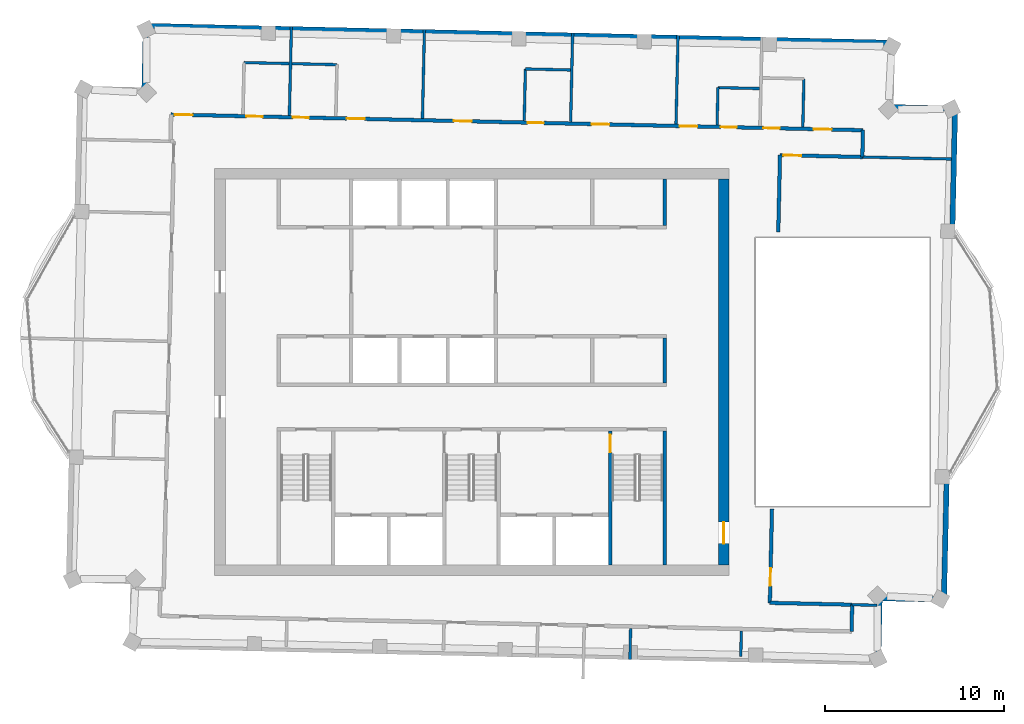
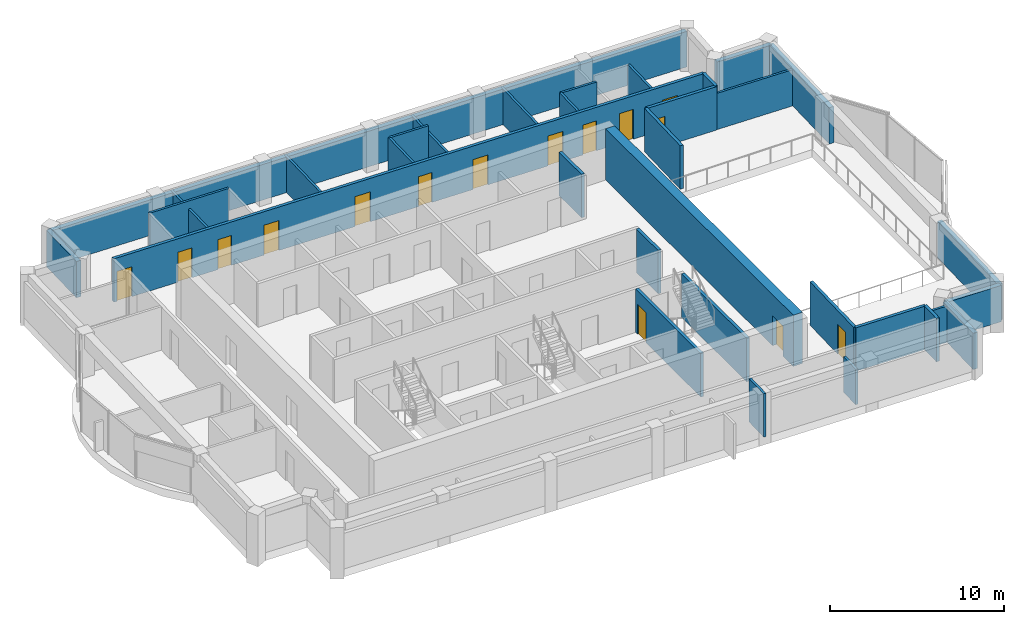
# One storey, part 9 of 12: 33 walls, 15 doors, 15 openings.
"""IFC4 building model written with IfcOpenShell, lengths in metres."""

from ifc_helpers import new_model, si_unit, direction, frame, frame_2d, origin, place, context, subcontext, project, spatial, rectangle, extrude, material, layer, layer_set, type_object, element, fill, save


model = new_model("IFC4")

# Units and contexts
model_context = context("Model", 3, precision=1e-05, world=origin(), true_north=direction((0.0, 1.0)))
body_context = subcontext(model_context, "Body", "Model", "MODEL_VIEW")
ifc_project = project(units=[si_unit("LENGTHUNIT", "METRE"), si_unit("AREAUNIT", "SQUARE_METRE"), si_unit("VOLUMEUNIT", "CUBIC_METRE"), si_unit("PLANEANGLEUNIT", "RADIAN"), si_unit("MASSUNIT", "GRAM", prefix="KILO")], contexts=[model_context])

# Site, building, storey
site_placement = place(None, origin())
site = spatial("IfcSite", under=ifc_project, at=site_placement, CompositionType="ELEMENT")
building_placement = place(site_placement, origin())
building = spatial("IfcBuilding", under=site, at=building_placement, Name="Mangrove Gate Tower", CompositionType="ELEMENT")
storey_placement = place(building_placement, frame((0.0, 0.0, 350.699951171875)))
storey = spatial("IfcBuildingStorey", under=building, at=storey_placement, Name="L89", CompositionType="ELEMENT", Elevation=350.699951171875)

# Walls
ifc_material_1 = material(Name="Concrete C32/40", Category="concrete")
ifc_layer_1 = layer(ifc_material_1, 0.199951171875)
ifc_layer_set_1 = layer_set([ifc_layer_1], Name="Core room wall 200 C32/40")
wall_type_1 = type_object("IfcWallType", Name="Core room wall 200 C32/40", PredefinedType="STANDARD", material=ifc_layer_set_1)
wall_1_placement = place(storey_placement, frame((10.800048828125, -0.60009765625, 0.0), z_axis=(0.0, 0.0, 1.0), x_axis=(0.0, 1.0, 0.0)))
element("IfcWall", 1, at=wall_1_placement, inside=storey, type_object=wall_type_1, Name="WALL-L89-CORE-25", PredefinedType="STANDARD", context=body_context, shape_type="SweptSolid", body=[
    extrude(rectangle(XDim=2.5, YDim=0.199951171875, at=frame_2d((1.25, 0.0))), origin(), (0.0, 0.0, 1.0), 3.050048828125),
])
wall_2_placement = place(storey_placement, frame((10.800048828125, 8.199951171875, 0.0), z_axis=(0.0, 0.0, 1.0), x_axis=(0.0, 1.0, 0.0)))
element("IfcWall", 2, at=wall_2_placement, inside=storey, type_object=wall_type_1, Name="WALL-L89-CORE-32", PredefinedType="STANDARD", context=body_context, shape_type="SweptSolid", body=[
    extrude(rectangle(XDim=2.60009765625, YDim=0.199951171875, at=frame_2d((1.300048828125, 0.0))), origin(), (0.0, 0.0, 1.0), 3.050048828125),
])

# Wall, opening, door
ifc_material_2 = material(Name="Concrete C50/60", Category="concrete")
ifc_layer_2 = layer(ifc_material_2, 0.199951171875)
ifc_layer_set_2 = layer_set([ifc_layer_2], Name="Core stair wall 200 C50/60")
wall_type_2 = type_object("IfcWallType", Name="Core stair wall 200 C50/60", PredefinedType="SHEAR", material=ifc_layer_set_2)
wall_3_placement = place(storey_placement, frame((7.75, -10.800048828125, 0.0), z_axis=(0.0, 0.0, 1.0), x_axis=(0.0, 1.0, 0.0)))
wall_3 = element("IfcWall", 3, at=wall_3_placement, inside=storey, type_object=wall_type_2, Name="WALL-L89-CORE-13", PredefinedType="SHEAR", context=body_context, shape_type="SweptSolid", body=[
    extrude(rectangle(XDim=7.5, YDim=0.199951171875, at=frame_2d((3.75, 0.0))), origin(), (0.0, 0.0, 1.0), 3.050048828125),
])
opening_1_placement = place(wall_3_placement, frame((6.300048828125, 0.0, 0.0)))
opening_1 = element("IfcOpeningElement", 4, at=opening_1_placement, cuts=wall_3, Name="Opening STD10", PredefinedType="OPENING", context=body_context, shape_type="SweptSolid", body=[
    extrude(rectangle(XDim=1.0, YDim=2.10009765625, at=frame_2d((0.5, 1.050048828125))), frame((0.0, 0.10986328125, 0.0), z_axis=(0.0, -1.0, 0.0), x_axis=(1.0, 0.0, 0.0)), (0.0, 0.0, 1.0), 0.219970703125),
])
ifc_material_3 = material(Name="Fire-rated steel door set", Category="steel")
door_type_1 = type_object("IfcDoorType", Name="Stair door FD60 1000x2100", OperationType="SINGLE_SWING_RIGHT", PredefinedType="DOOR", material=ifc_material_3)
door_1_placement = place(opening_1_placement, origin())
door_1 = element("IfcDoor", 5, at=door_1_placement, inside=storey, type_object=door_type_1, Name="Stair door Stair 3 from fire-fighting lobby", OperationType="SINGLE_SWING_RIGHT", OverallHeight=2.10009765625, OverallWidth=1.0, PredefinedType="DOOR", context=body_context, shape_type="SweptSolid", body=[
    extrude(rectangle(XDim=1.0, YDim=2.10009765625, at=frame_2d((0.5, 1.050048828125))), frame((0.0, 0.02490234375, 0.0), z_axis=(0.0, -1.0, 0.0), x_axis=(1.0, 0.0, 0.0)), (0.0, 0.0, 1.0), 0.050048828125),
])
fill(opening_1, door_1)

# Wall
wall_4_placement = place(storey_placement, frame((10.800048828125, -10.800048828125, 0.0), z_axis=(0.0, 0.0, 1.0), x_axis=(0.0, 1.0, 0.0)))
element("IfcWall", 6, at=wall_4_placement, inside=storey, type_object=wall_type_2, Name="WALL-L89-CORE-14", PredefinedType="SHEAR", context=body_context, shape_type="SweptSolid", body=[
    extrude(rectangle(XDim=7.5, YDim=0.199951171875, at=frame_2d((3.75, 0.0))), origin(), (0.0, 0.0, 1.0), 3.050048828125),
])

# Wall, opening, door
ifc_material_4 = material(Name="Concrete C50/60", Category="concrete")
ifc_layer_3 = layer(ifc_material_4, 0.60009765625)
ifc_layer_set_3 = layer_set([ifc_layer_3], Name="Core wall 600 C50/60")
wall_type_3 = type_object("IfcWallType", Name="Core wall 600 C50/60", PredefinedType="SHEAR", material=ifc_layer_set_3)
wall_5_placement = place(storey_placement, frame((14.10009765625, -10.800048828125, 0.0), z_axis=(0.0, 0.0, 1.0), x_axis=(0.0, 1.0, 0.0)))
wall_5 = element("IfcWall", 7, at=wall_5_placement, inside=storey, type_object=wall_type_3, Name="WALL-L89-CORE-4", PredefinedType="SHEAR", context=body_context, shape_type="SweptSolid", body=[
    extrude(rectangle(XDim=21.60009765625, YDim=0.60009765625, at=frame_2d((10.800048828125, 0.0))), origin(), (0.0, 0.0, 1.0), 3.60009765625),
])
opening_2_placement = place(wall_5_placement, frame((1.199951171875, 0.0, 0.0)))
opening_2 = element("IfcOpeningElement", 8, at=opening_2_placement, cuts=wall_5, Name="Opening CD", PredefinedType="OPENING", context=body_context, shape_type="SweptSolid", body=[
    extrude(rectangle(XDim=1.199951171875, YDim=2.10009765625, at=frame_2d((0.60009765625, 1.050048828125))), frame((0.0, 0.31005859375, 0.0), z_axis=(0.0, -1.0, 0.0), x_axis=(1.0, 0.0, 0.0)), (0.0, 0.0, 1.0), 0.6201171875),
])
ifc_material_5 = material(Name="Fire-rated steel door set", Category="steel")
door_type_2 = type_object("IfcDoorType", Name="Core ring door FD60 1200x2100", OperationType="DOUBLE_DOOR_SINGLE_SWING", PredefinedType="DOOR", material=ifc_material_5)
door_2_placement = place(opening_2_placement, origin())
door_2 = element("IfcDoor", 9, at=door_2_placement, inside=storey, type_object=door_type_2, Name="Core ring door E1", OperationType="DOUBLE_DOOR_SINGLE_SWING", OverallHeight=2.10009765625, OverallWidth=1.199951171875, PredefinedType="DOOR", context=body_context, shape_type="SweptSolid", body=[
    extrude(rectangle(XDim=1.199951171875, YDim=2.10009765625, at=frame_2d((0.60009765625, 1.050048828125))), frame((0.0, 0.02490234375, 0.0), z_axis=(0.0, -1.0, 0.0), x_axis=(1.0, 0.0, 0.0)), (0.0, 0.0, 1.0), 0.050048828125),
])
fill(opening_2, door_2)

# Walls
ifc_material_6 = material(Name="Gypsum board on steel stud, EI 60", Category="steel")
ifc_layer_4 = layer(ifc_material_6, 0.199951171875)
ifc_layer_set_4 = layer_set([ifc_layer_4], Name="Corridor wall EI 60")
wall_type_4 = type_object("IfcWallType", Name="Corridor wall EI 60", PredefinedType="PARTITIONING", material=ifc_layer_set_4)
wall_6_placement = place(storey_placement, frame((21.259033203125, -14.52294921875, 0.0), z_axis=(0.0, 0.0, 1.0), x_axis=(0.022617910375, 0.999744182344, 0.0)))
element("IfcWall", 10, at=wall_6_placement, inside=storey, type_object=wall_type_4, Name="WALL-L89-009", PredefinedType="PARTITIONING", context=body_context, shape_type="SweptSolid", body=[
    extrude(rectangle(XDim=1.50048828125, YDim=0.199951171875, at=frame_2d((0.750244140625, 0.0))), origin(), (0.0, 0.0, 1.0), 3.050048828125),
])
wall_7_placement = place(storey_placement, frame((16.678955078125, -12.91796875, 0.0), z_axis=(0.0, 0.0, 1.0), x_axis=(0.99974093296, -0.022761084406, 0.0)))
element("IfcWall", 11, at=wall_7_placement, inside=storey, type_object=wall_type_4, Name="WALL-L89-013", PredefinedType="PARTITIONING", context=body_context, shape_type="SweptSolid", body=[
    extrude(rectangle(XDim=4.6123046875, YDim=0.199951171875, at=frame_2d((2.30615234375, 0.0))), origin(), (0.0, 0.0, 1.0), 3.050048828125),
])

# Wall, opening, door
wall_8_placement = place(storey_placement, frame((16.68408203125, -12.9189453125, 0.0), z_axis=(0.0, 0.0, 1.0), x_axis=(0.022667483124, 0.999743059595, 0.0)))
wall_8 = element("IfcWall", 12, at=wall_8_placement, inside=storey, type_object=wall_type_4, Name="WALL-L89-014", PredefinedType="PARTITIONING", context=body_context, shape_type="SweptSolid", body=[
    extrude(rectangle(XDim=5.245361328125, YDim=0.199951171875, at=frame_2d((2.62255859375, 0.0))), origin(), (0.0, 0.0, 1.0), 3.050048828125),
])
opening_3_placement = place(wall_8_placement, frame((0.946044921875, 0.0, 0.0)))
opening_3 = element("IfcOpeningElement", 13, at=opening_3_placement, cuts=wall_8, Name="Opening AD", PredefinedType="OPENING", context=body_context, shape_type="SweptSolid", body=[
    extrude(rectangle(XDim=1.0, YDim=2.10009765625, at=frame_2d((0.5, 1.050048828125))), frame((0.0, 0.10986328125, 0.0), z_axis=(0.0, -1.0, 0.0), x_axis=(1.0, 0.0, 0.0)), (0.0, 0.0, 1.0), 0.219970703125),
])
ifc_material_7 = material(Name="Timber door leaf", Category="wood")
door_type_3 = type_object("IfcDoorType", Name="Amenity door 1000", OperationType="SINGLE_SWING_LEFT", PredefinedType="DOOR", material=ifc_material_7)
door_3_placement = place(opening_3_placement, origin())
door_3 = element("IfcDoor", 14, at=door_3_placement, inside=storey, type_object=door_type_3, Name="DOOR-L89-GAM-c2b", OperationType="SINGLE_SWING_RIGHT", OverallHeight=2.10009765625, OverallWidth=1.0, PredefinedType="DOOR", context=body_context, shape_type="SweptSolid", body=[
    extrude(rectangle(XDim=1.0, YDim=2.10009765625, at=frame_2d((0.5, 1.050048828125))), frame((0.0, 0.02490234375, 0.0), z_axis=(0.0, -1.0, 0.0), x_axis=(1.0, 0.0, 0.0)), (0.0, 0.0, 1.0), 0.050048828125),
])
fill(opening_3, door_3)

# Wall
wall_9_placement = place(storey_placement, frame((17.155029296875, 7.845947265625, 0.0), z_axis=(0.0, 0.0, 1.0), x_axis=(0.022745886685, 0.999741278851, 0.0)))
element("IfcWall", 15, at=wall_9_placement, inside=storey, type_object=wall_type_4, Name="WALL-L89-020", PredefinedType="PARTITIONING", context=body_context, shape_type="SweptSolid", body=[
    extrude(rectangle(XDim=4.30419921875, YDim=0.199951171875, at=frame_2d((2.152099609375, 0.0))), origin(), (0.0, 0.0, 1.0), 3.050048828125),
])

# Wall, opening, door
wall_10_placement = place(storey_placement, frame((17.248046875, 12.14501953125, 0.0), z_axis=(0.0, 0.0, 1.0), x_axis=(0.999740905536, -0.022762288964, 0.0)))
wall_10 = element("IfcWall", 16, at=wall_10_placement, inside=storey, type_object=wall_type_4, Name="WALL-L89-024", PredefinedType="PARTITIONING", context=body_context, shape_type="SweptSolid", body=[
    extrude(rectangle(XDim=4.612060546875, YDim=0.199951171875, at=frame_2d((2.30615234375, 0.0))), origin(), (0.0, 0.0, 1.0), 3.050048828125),
])
opening_4_placement = place(wall_10_placement, frame((0.199951171875, 0.0, 0.0)))
opening_4 = element("IfcOpeningElement", 17, at=opening_4_placement, cuts=wall_10, Name="Opening AD", PredefinedType="OPENING", context=body_context, shape_type="SweptSolid", body=[
    extrude(rectangle(XDim=1.0, YDim=2.10009765625, at=frame_2d((0.5, 1.050048828125))), frame((0.0, 0.10986328125, 0.0), z_axis=(0.0, -1.0, 0.0), x_axis=(1.0, 0.0, 0.0)), (0.0, 0.0, 1.0), 0.219970703125),
])
door_4_placement = place(opening_4_placement, origin())
door_4 = element("IfcDoor", 18, at=door_4_placement, inside=storey, type_object=door_type_3, Name="DOOR-L89-LNG-c2a", OperationType="SINGLE_SWING_LEFT", OverallHeight=2.10009765625, OverallWidth=1.0, PredefinedType="DOOR", context=body_context, shape_type="SweptSolid", body=[
    extrude(rectangle(XDim=1.0, YDim=2.10009765625, at=frame_2d((0.5, 1.050048828125))), frame((0.0, 0.02490234375, 0.0), z_axis=(0.0, -1.0, 0.0), x_axis=(1.0, 0.0, 0.0)), (0.0, 0.0, 1.0), 0.050048828125),
])
fill(opening_4, door_4)

# Wall
wall_11_placement = place(storey_placement, frame((21.862060546875, 12.0439453125, 0.0), z_axis=(0.0, 0.0, 1.0), x_axis=(0.022617910375, 0.999744182344, 0.0)))
element("IfcWall", 19, at=wall_11_placement, inside=storey, type_object=wall_type_4, Name="WALL-L89-027", PredefinedType="PARTITIONING", context=body_context, shape_type="SweptSolid", body=[
    extrude(rectangle(XDim=1.50048828125, YDim=0.199951171875, at=frame_2d((0.750244140625, 0.0))), origin(), (0.0, 0.0, 1.0), 3.050048828125),
])

# Wall, openings, doors
wall_12_placement = place(storey_placement, frame((-16.8310546875, 14.4189453125, 0.0), z_axis=(0.0, 0.0, 1.0), x_axis=(0.999742531431, -0.022690765715, 0.0)))
wall_12 = element("IfcWall", 20, at=wall_12_placement, inside=storey, type_object=wall_type_4, Name="WALL-L89-028", PredefinedType="PARTITIONING", context=body_context, shape_type="SweptSolid", body=[
    extrude(rectangle(XDim=38.734130859375, YDim=0.199951171875, at=frame_2d((19.3671875, 0.0))), origin(), (0.0, 0.0, 1.0), 3.050048828125),
])
opening_5_placement = place(wall_12_placement, frame((35.97705078125, 0.0, 0.0)))
opening_5 = element("IfcOpeningElement", 21, at=opening_5_placement, cuts=wall_12, Name="Opening AD", PredefinedType="OPENING", context=body_context, shape_type="SweptSolid", body=[
    extrude(rectangle(XDim=1.0, YDim=2.10009765625, at=frame_2d((0.5, 1.050048828125))), frame((0.0, 0.10986328125, 0.0), z_axis=(0.0, -1.0, 0.0), x_axis=(1.0, 0.0, 0.0)), (0.0, 0.0, 1.0), 0.219970703125),
])
opening_6_placement = place(wall_12_placement, frame((33.1669921875, 0.0, 0.0)))
opening_6 = element("IfcOpeningElement", 22, at=opening_6_placement, cuts=wall_12, Name="Opening SD", PredefinedType="OPENING", context=body_context, shape_type="SweptSolid", body=[
    extrude(rectangle(XDim=0.89990234375, YDim=2.10009765625, at=frame_2d((0.449951171875, 1.050048828125))), frame((0.0, 0.10986328125, 0.0), z_axis=(0.0, -1.0, 0.0), x_axis=(1.0, 0.0, 0.0)), (0.0, 0.0, 1.0), 0.219970703125),
])
opening_7_placement = place(wall_12_placement, frame((28.467041015625, 0.0, 0.0)))
opening_7 = element("IfcOpeningElement", 23, at=opening_7_placement, cuts=wall_12, Name="Opening AD", PredefinedType="OPENING", context=body_context, shape_type="SweptSolid", body=[
    extrude(rectangle(XDim=1.0, YDim=2.10009765625, at=frame_2d((0.5, 1.050048828125))), frame((0.0, 0.10986328125, 0.0), z_axis=(0.0, -1.0, 0.0), x_axis=(1.0, 0.0, 0.0)), (0.0, 0.0, 1.0), 0.219970703125),
])
opening_8_placement = place(wall_12_placement, frame((30.76708984375, 0.0, 0.0)))
opening_8 = element("IfcOpeningElement", 24, at=opening_8_placement, cuts=wall_12, Name="Opening SD", PredefinedType="OPENING", context=body_context, shape_type="SweptSolid", body=[
    extrude(rectangle(XDim=0.89990234375, YDim=2.10009765625, at=frame_2d((0.449951171875, 1.050048828125))), frame((0.0, 0.10986328125, 0.0), z_axis=(0.0, -1.0, 0.0), x_axis=(1.0, 0.0, 0.0)), (0.0, 0.0, 1.0), 0.219970703125),
])
opening_9_placement = place(wall_12_placement, frame((23.541015625, 0.0, 0.0)))
opening_9 = element("IfcOpeningElement", 25, at=opening_9_placement, cuts=wall_12, Name="Opening AD", PredefinedType="OPENING", context=body_context, shape_type="SweptSolid", body=[
    extrude(rectangle(XDim=1.0, YDim=2.10009765625, at=frame_2d((0.5, 1.050048828125))), frame((0.0, 0.10986328125, 0.0), z_axis=(0.0, -1.0, 0.0), x_axis=(1.0, 0.0, 0.0)), (0.0, 0.0, 1.0), 0.219970703125),
])
opening_10_placement = place(wall_12_placement, frame((15.827880859375, 0.0, 0.0)))
opening_10 = element("IfcOpeningElement", 26, at=opening_10_placement, cuts=wall_12, Name="Opening AD", PredefinedType="OPENING", context=body_context, shape_type="SweptSolid", body=[
    extrude(rectangle(XDim=1.0, YDim=2.10009765625, at=frame_2d((0.5, 1.050048828125))), frame((0.0, 0.10986328125, 0.0), z_axis=(0.0, -1.0, 0.0), x_axis=(1.0, 0.0, 0.0)), (0.0, 0.0, 1.0), 0.219970703125),
])
opening_11_placement = place(wall_12_placement, frame((19.967041015625, 0.0, 0.0)))
opening_11 = element("IfcOpeningElement", 27, at=opening_11_placement, cuts=wall_12, Name="Opening SD", PredefinedType="OPENING", context=body_context, shape_type="SweptSolid", body=[
    extrude(rectangle(XDim=0.89990234375, YDim=2.10009765625, at=frame_2d((0.449951171875, 1.050048828125))), frame((0.0, 0.10986328125, 0.0), z_axis=(0.0, -1.0, 0.0), x_axis=(1.0, 0.0, 0.0)), (0.0, 0.0, 1.0), 0.219970703125),
])
opening_12_placement = place(wall_12_placement, frame((9.830078125, 0.0, 0.0)))
opening_12 = element("IfcOpeningElement", 28, at=opening_12_placement, cuts=wall_12, Name="Opening AD", PredefinedType="OPENING", context=body_context, shape_type="SweptSolid", body=[
    extrude(rectangle(XDim=1.0, YDim=2.10009765625, at=frame_2d((0.5, 1.050048828125))), frame((0.0, 0.10986328125, 0.0), z_axis=(0.0, -1.0, 0.0), x_axis=(1.0, 0.0, 0.0)), (0.0, 0.0, 1.0), 0.219970703125),
])
opening_13_placement = place(wall_12_placement, frame((6.81689453125, 0.0, 0.0)))
opening_13 = element("IfcOpeningElement", 29, at=opening_13_placement, cuts=wall_12, Name="Opening SD", PredefinedType="OPENING", context=body_context, shape_type="SweptSolid", body=[
    extrude(rectangle(XDim=0.89990234375, YDim=2.10009765625, at=frame_2d((0.449951171875, 1.050048828125))), frame((0.0, 0.10986328125, 0.0), z_axis=(0.0, -1.0, 0.0), x_axis=(1.0, 0.0, 0.0)), (0.0, 0.0, 1.0), 0.219970703125),
])
opening_14_placement = place(wall_12_placement, frame((0.199951171875, 0.0, 0.0)))
opening_14 = element("IfcOpeningElement", 30, at=opening_14_placement, cuts=wall_12, Name="Opening AD", PredefinedType="OPENING", context=body_context, shape_type="SweptSolid", body=[
    extrude(rectangle(XDim=1.0, YDim=2.10009765625, at=frame_2d((0.5, 1.050048828125))), frame((0.0, 0.10986328125, 0.0), z_axis=(0.0, -1.0, 0.0), x_axis=(1.0, 0.0, 0.0)), (0.0, 0.0, 1.0), 0.219970703125),
])
opening_15_placement = place(wall_12_placement, frame((4.217041015625, 0.0, 0.0)))
opening_15 = element("IfcOpeningElement", 31, at=opening_15_placement, cuts=wall_12, Name="Opening SD", PredefinedType="OPENING", context=body_context, shape_type="SweptSolid", body=[
    extrude(rectangle(XDim=0.89990234375, YDim=2.10009765625, at=frame_2d((0.449951171875, 1.050048828125))), frame((0.0, 0.10986328125, 0.0), z_axis=(0.0, -1.0, 0.0), x_axis=(1.0, 0.0, 0.0)), (0.0, 0.0, 1.0), 0.219970703125),
])
door_5_placement = place(opening_5_placement, origin())
door_5 = element("IfcDoor", 32, at=door_5_placement, inside=storey, type_object=door_type_3, Name="DOOR-L89-GAM-c3a", OperationType="SINGLE_SWING_RIGHT", OverallHeight=2.10009765625, OverallWidth=1.0, PredefinedType="DOOR", context=body_context, shape_type="SweptSolid", body=[
    extrude(rectangle(XDim=1.0, YDim=2.10009765625, at=frame_2d((0.5, 1.050048828125))), frame((0.0, 0.02490234375, 0.0), z_axis=(0.0, -1.0, 0.0), x_axis=(1.0, 0.0, 0.0)), (0.0, 0.0, 1.0), 0.050048828125),
])
fill(opening_5, door_5)
door_6_placement = place(opening_7_placement, origin())
door_6 = element("IfcDoor", 33, at=door_6_placement, inside=storey, type_object=door_type_3, Name="DOOR-L89-STU-c3a", OperationType="SINGLE_SWING_LEFT", OverallHeight=2.10009765625, OverallWidth=1.0, PredefinedType="DOOR", context=body_context, shape_type="SweptSolid", body=[
    extrude(rectangle(XDim=1.0, YDim=2.10009765625, at=frame_2d((0.5, 1.050048828125))), frame((0.0, 0.02490234375, 0.0), z_axis=(0.0, -1.0, 0.0), x_axis=(1.0, 0.0, 0.0)), (0.0, 0.0, 1.0), 0.050048828125),
])
fill(opening_7, door_6)
door_7_placement = place(opening_9_placement, origin())
door_7 = element("IfcDoor", 34, at=door_7_placement, inside=storey, type_object=door_type_3, Name="DOOR-L89-KIT-c3a", OperationType="SINGLE_SWING_RIGHT", OverallHeight=2.10009765625, OverallWidth=1.0, PredefinedType="DOOR", context=body_context, shape_type="SweptSolid", body=[
    extrude(rectangle(XDim=1.0, YDim=2.10009765625, at=frame_2d((0.5, 1.050048828125))), frame((0.0, 0.02490234375, 0.0), z_axis=(0.0, -1.0, 0.0), x_axis=(1.0, 0.0, 0.0)), (0.0, 0.0, 1.0), 0.050048828125),
])
fill(opening_9, door_7)
door_8_placement = place(opening_10_placement, origin())
door_8 = element("IfcDoor", 35, at=door_8_placement, inside=storey, type_object=door_type_3, Name="DOOR-L89-LNG-c3a", OperationType="SINGLE_SWING_LEFT", OverallHeight=2.10009765625, OverallWidth=1.0, PredefinedType="DOOR", context=body_context, shape_type="SweptSolid", body=[
    extrude(rectangle(XDim=1.0, YDim=2.10009765625, at=frame_2d((0.5, 1.050048828125))), frame((0.0, 0.02490234375, 0.0), z_axis=(0.0, -1.0, 0.0), x_axis=(1.0, 0.0, 0.0)), (0.0, 0.0, 1.0), 0.050048828125),
])
fill(opening_10, door_8)
door_9_placement = place(opening_12_placement, origin())
door_9 = element("IfcDoor", 36, at=door_9_placement, inside=storey, type_object=door_type_3, Name="DOOR-L89-GAM-c4a", OperationType="SINGLE_SWING_RIGHT", OverallHeight=2.10009765625, OverallWidth=1.0, PredefinedType="DOOR", context=body_context, shape_type="SweptSolid", body=[
    extrude(rectangle(XDim=1.0, YDim=2.10009765625, at=frame_2d((0.5, 1.050048828125))), frame((0.0, 0.02490234375, 0.0), z_axis=(0.0, -1.0, 0.0), x_axis=(1.0, 0.0, 0.0)), (0.0, 0.0, 1.0), 0.050048828125),
])
fill(opening_12, door_9)
door_10_placement = place(opening_14_placement, origin())
door_10 = element("IfcDoor", 37, at=door_10_placement, inside=storey, type_object=door_type_3, Name="DOOR-L89-LNG-c4a", OperationType="SINGLE_SWING_LEFT", OverallHeight=2.10009765625, OverallWidth=1.0, PredefinedType="DOOR", context=body_context, shape_type="SweptSolid", body=[
    extrude(rectangle(XDim=1.0, YDim=2.10009765625, at=frame_2d((0.5, 1.050048828125))), frame((0.0, 0.02490234375, 0.0), z_axis=(0.0, -1.0, 0.0), x_axis=(1.0, 0.0, 0.0)), (0.0, 0.0, 1.0), 0.050048828125),
])
fill(opening_14, door_10)
ifc_material_8 = material(Name="Timber door leaf", Category="wood")
door_type_4 = type_object("IfcDoorType", Name="Service room door 900", OperationType="SINGLE_SWING_LEFT", PredefinedType="DOOR", material=ifc_material_8)
door_11_placement = place(opening_6_placement, origin())
door_11 = element("IfcDoor", 38, at=door_11_placement, inside=storey, type_object=door_type_4, Name="DOOR-L89-WC-c3a", OperationType="SINGLE_SWING_LEFT", OverallHeight=2.10009765625, OverallWidth=0.89990234375, PredefinedType="DOOR", context=body_context, shape_type="SweptSolid", body=[
    extrude(rectangle(XDim=0.89990234375, YDim=2.10009765625, at=frame_2d((0.449951171875, 1.050048828125))), frame((0.0, 0.02490234375, 0.0), z_axis=(0.0, -1.0, 0.0), x_axis=(1.0, 0.0, 0.0)), (0.0, 0.0, 1.0), 0.050048828125),
])
fill(opening_6, door_11)
door_12_placement = place(opening_8_placement, origin())
door_12 = element("IfcDoor", 39, at=door_12_placement, inside=storey, type_object=door_type_4, Name="DOOR-L89-LIN-c3a", OperationType="SINGLE_SWING_RIGHT", OverallHeight=2.10009765625, OverallWidth=0.89990234375, PredefinedType="DOOR", context=body_context, shape_type="SweptSolid", body=[
    extrude(rectangle(XDim=0.89990234375, YDim=2.10009765625, at=frame_2d((0.449951171875, 1.050048828125))), frame((0.0, 0.02490234375, 0.0), z_axis=(0.0, -1.0, 0.0), x_axis=(1.0, 0.0, 0.0)), (0.0, 0.0, 1.0), 0.050048828125),
])
fill(opening_8, door_12)
door_13_placement = place(opening_11_placement, origin())
door_13 = element("IfcDoor", 40, at=door_13_placement, inside=storey, type_object=door_type_4, Name="DOOR-L89-AWC-c3a", OperationType="SINGLE_SWING_LEFT", OverallHeight=2.10009765625, OverallWidth=0.89990234375, PredefinedType="DOOR", context=body_context, shape_type="SweptSolid", body=[
    extrude(rectangle(XDim=0.89990234375, YDim=2.10009765625, at=frame_2d((0.449951171875, 1.050048828125))), frame((0.0, 0.02490234375, 0.0), z_axis=(0.0, -1.0, 0.0), x_axis=(1.0, 0.0, 0.0)), (0.0, 0.0, 1.0), 0.050048828125),
])
fill(opening_11, door_13)
door_14_placement = place(opening_13_placement, origin())
door_14 = element("IfcDoor", 41, at=door_14_placement, inside=storey, type_object=door_type_4, Name="DOOR-L89-AWC-c4a", OperationType="SINGLE_SWING_RIGHT", OverallHeight=2.10009765625, OverallWidth=0.89990234375, PredefinedType="DOOR", context=body_context, shape_type="SweptSolid", body=[
    extrude(rectangle(XDim=0.89990234375, YDim=2.10009765625, at=frame_2d((0.449951171875, 1.050048828125))), frame((0.0, 0.02490234375, 0.0), z_axis=(0.0, -1.0, 0.0), x_axis=(1.0, 0.0, 0.0)), (0.0, 0.0, 1.0), 0.050048828125),
])
fill(opening_13, door_14)
door_15_placement = place(opening_15_placement, origin())
door_15 = element("IfcDoor", 42, at=door_15_placement, inside=storey, type_object=door_type_4, Name="DOOR-L89-AWC-c4b", OperationType="SINGLE_SWING_LEFT", OverallHeight=2.10009765625, OverallWidth=0.89990234375, PredefinedType="DOOR", context=body_context, shape_type="SweptSolid", body=[
    extrude(rectangle(XDim=0.89990234375, YDim=2.10009765625, at=frame_2d((0.449951171875, 1.050048828125))), frame((0.0, 0.02490234375, 0.0), z_axis=(0.0, -1.0, 0.0), x_axis=(1.0, 0.0, 0.0)), (0.0, 0.0, 1.0), 0.050048828125),
])
fill(opening_15, door_15)

# Walls
ifc_material_9 = material(Name="Limestone", Category="masonry")
ifc_layer_5 = layer(ifc_material_9, 0.0400390625, Name="Limestone cladding")
ifc_material_10 = material(Name="Ventilated air gap")
ifc_layer_6 = layer(ifc_material_10, 0.0400390625, Name="Ventilated cavity")
ifc_material_11 = material(Name="Mineral wool insulation")
ifc_layer_7 = layer(ifc_material_11, 0.06005859375, Name="Insulation")
ifc_material_12 = material(Name="Breather membrane")
ifc_layer_8 = layer(ifc_material_12, 0.001953125, Name="Breather membrane")
ifc_material_13 = material(Name="Concrete C20/25 blockwork", Category="masonry")
ifc_layer_9 = layer(ifc_material_13, 0.14990234375, Name="Blockwork backing wall")
ifc_material_14 = material(Name="Gypsum plaster")
ifc_layer_10 = layer(ifc_material_14, 0.008056640625, Name="Internal plaster")
ifc_layer_set_5 = layer_set([ifc_layer_5, ifc_layer_6, ifc_layer_7, ifc_layer_8, ifc_layer_9, ifc_layer_10], Name="External wall 300 limestone cladding")
wall_type_5 = type_object("IfcWallType", Name="External wall 300 limestone cladding", PredefinedType="SOLIDWALL", material=ifc_layer_set_5)
wall_13_placement = place(storey_placement, frame((26.430908203125, -12.739990234375, 0.0), z_axis=(0.0, 0.0, 1.0), x_axis=(0.022686338341, 0.999742631907, 0.0)))
element("IfcWall", 43, at=wall_13_placement, inside=storey, type_object=wall_type_5, Name="WALL-L89-E0s1", PredefinedType="SOLIDWALL", context=body_context, shape_type="SweptSolid", body=[
    extrude(rectangle(XDim=7.27490234375, YDim=0.300048828125, at=frame_2d((3.637451171875, 0.0))), origin(), (0.0, 0.0, 1.0), 2.550048828125),
])
wall_14_placement = place(storey_placement, frame((26.889892578125, 7.48095703125, 0.0), z_axis=(0.0, 0.0, 1.0), x_axis=(0.02268938335, 0.999742562805, 0.0)))
element("IfcWall", 44, at=wall_14_placement, inside=storey, type_object=wall_type_5, Name="WALL-L89-E2s1", PredefinedType="SOLIDWALL", context=body_context, shape_type="SweptSolid", body=[
    extrude(rectangle(XDim=7.27392578125, YDim=0.300048828125, at=frame_2d((3.636962890625, 0.0))), origin(), (0.0, 0.0, 1.0), 2.550048828125),
])
wall_15_placement = place(storey_placement, frame((27.054931640625, 14.7529296875, 0.0), z_axis=(0.0, 0.0, 1.0), x_axis=(-0.999740327787, 0.022787650101, 0.0)))
element("IfcWall", 45, at=wall_15_placement, inside=storey, type_object=wall_type_5, Name="WALL-L89-N3", PredefinedType="SOLIDWALL", context=body_context, shape_type="SweptSolid", body=[
    extrude(rectangle(XDim=3.599853515625, YDim=0.300048828125, at=frame_2d((1.7998046875, 0.0))), origin(), (0.0, 0.0, 1.0), 2.550048828125),
])
wall_16_placement = place(storey_placement, frame((23.537109375, 18.43408203125, 0.0), z_axis=(0.0, 0.0, 1.0), x_axis=(-0.999742787513, 0.022679480066, 0.0)))
element("IfcWall", 46, at=wall_16_placement, inside=storey, type_object=wall_type_5, Name="WALL-L89-N5", PredefinedType="SOLIDWALL", context=body_context, shape_type="SweptSolid", body=[
    extrude(rectangle(XDim=41.7998046875, YDim=0.300048828125, at=frame_2d((20.89990234375, 0.0))), origin(), (0.0, 0.0, 1.0), 2.5),
])
for number, where, z_axis, x_axis, name in (
    (47, (-18.251953125, 19.382080078125, 0.0), (0.0, 0.0, 1.0), (-0.02278610514, -0.999740363001, 0.0), "WALL-L89-W6"),
    (48, (22.75, -16.257080078125, 0.0), (0.0, 0.0, 1.0), (0.02278610514, 0.999740363001, 0.0), "WALL-L89-E14"),
):
    element("IfcWall", number, at=place(storey_placement, frame(where, z_axis=z_axis, x_axis=x_axis)), inside=storey, type_object=wall_type_5, Name=name, PredefinedType="SOLIDWALL", context=body_context, shape_type="SweptSolid", body=[
        extrude(rectangle(XDim=3.60009765625, YDim=0.300048828125, at=frame_2d((1.800048828125, 0.0))), origin(), (0.0, 0.0, 1.0), 2.550048828125),
    ])
wall_17_placement = place(storey_placement, frame((22.83203125, -12.657958984375, 0.0), z_axis=(0.0, 0.0, 1.0), x_axis=(0.999740327787, -0.022787650101, 0.0)))
element("IfcWall", 49, at=wall_17_placement, inside=storey, type_object=wall_type_5, Name="WALL-L89-S15", PredefinedType="SOLIDWALL", context=body_context, shape_type="SweptSolid", body=[
    extrude(rectangle(XDim=3.599853515625, YDim=0.300048828125, at=frame_2d((1.7998046875, 0.0))), origin(), (0.0, 0.0, 1.0), 2.550048828125),
])
ifc_material_15 = material(Name="Gypsum board on steel stud, EI 60", Category="steel")
ifc_layer_11 = layer(ifc_material_15, 0.14990234375)
ifc_layer_set_6 = layer_set([ifc_layer_11], Name="Party wall 150 EI 60")
wall_type_6 = type_object("IfcWallType", Name="Party wall 150 EI 60", PredefinedType="PARTITIONING", material=ifc_layer_set_6)
wall_18_placement = place(storey_placement, frame((8.85009765625, -16.095947265625, 0.0), z_axis=(0.0, 0.0, 1.0), x_axis=(0.022683471548, 0.999742696957, 0.0)))
element("IfcWall", 50, at=wall_18_placement, inside=storey, type_object=wall_type_6, Name="WALL-L89-003", PredefinedType="PARTITIONING", context=body_context, shape_type="SweptSolid", body=[
    extrude(rectangle(XDim=1.75439453125, YDim=0.14990234375, at=frame_2d((0.877197265625, 0.0))), origin(), (0.0, 0.0, 1.0), 3.050048828125),
])
wall_19_placement = place(storey_placement, frame((15.054931640625, -15.931884765625, 0.0), z_axis=(0.0, 0.0, 1.0), x_axis=(0.022740537333, 0.999741400544, 0.0)))
element("IfcWall", 51, at=wall_19_placement, inside=storey, type_object=wall_type_6, Name="WALL-L89-006", PredefinedType="PARTITIONING", context=body_context, shape_type="SweptSolid", body=[
    extrude(rectangle(XDim=1.449462890625, YDim=0.14990234375, at=frame_2d((0.724609375, 0.0))), origin(), (0.0, 0.0, 1.0), 2.5),
])
wall_20_placement = place(storey_placement, frame((21.285888671875, -13.02294921875, 0.0), z_axis=(0.0, 0.0, 1.0), x_axis=(0.999750303588, -0.022345703723, 0.0)))
element("IfcWall", 52, at=wall_20_placement, inside=storey, type_object=wall_type_6, Name="WALL-L89-015", PredefinedType="PARTITIONING", context=body_context, shape_type="SweptSolid", body=[
    extrude(rectangle(XDim=1.387451171875, YDim=0.14990234375, at=frame_2d((0.69384765625, 0.0))), origin(), (0.0, 0.0, 1.0), 2.550048828125),
])
wall_21_placement = place(storey_placement, frame((21.85888671875, 12.0400390625, 0.0), z_axis=(0.0, 0.0, 1.0), x_axis=(0.999742719999, -0.022682455989, 0.0)))
element("IfcWall", 53, at=wall_21_placement, inside=storey, type_object=wall_type_6, Name="WALL-L89-025", PredefinedType="PARTITIONING", context=body_context, shape_type="SweptSolid", body=[
    extrude(rectangle(XDim=4.9833984375, YDim=0.14990234375, at=frame_2d((2.49169921875, 0.0))), origin(), (0.0, 0.0, 1.0), 2.550048828125),
])
for number, where, z_axis, x_axis, name in (
    (54, (-10.214111328125, 14.373046875, 0.0), (0.0, 0.0, 1.0), (0.022720290659, 0.999741860878, 0.0), "WALL-L89-030"),
    (55, (-2.764892578125, 14.2041015625, 0.0), (0.0, 0.0, 1.0), (0.022475055762, 0.999747404032, 0.0), "WALL-L89-032"),
):
    element("IfcWall", number, at=place(storey_placement, frame(where, z_axis=z_axis, x_axis=x_axis)), inside=storey, type_object=wall_type_6, Name=name, PredefinedType="PARTITIONING", context=body_context, shape_type="SweptSolid", body=[
        extrude(rectangle(XDim=4.97509765625, YDim=0.14990234375, at=frame_2d((2.487548828125, 0.0))), origin(), (0.0, 0.0, 1.0), 2.5),
    ])
wall_22_placement = place(storey_placement, frame((2.93310546875, 14.073974609375, 0.0), z_axis=(0.0, 0.0, 1.0), x_axis=(0.022723317103, 0.999741792094, 0.0)))
element("IfcWall", 56, at=wall_22_placement, inside=storey, type_object=wall_type_6, Name="WALL-L89-033", PredefinedType="PARTITIONING", context=body_context, shape_type="SweptSolid", body=[
    extrude(rectangle(XDim=2.90087890625, YDim=0.14990234375, at=frame_2d((1.450439453125, 0.0))), origin(), (0.0, 0.0, 1.0), 3.050048828125),
])
wall_23_placement = place(storey_placement, frame((5.531982421875, 14.014892578125, 0.0), z_axis=(0.0, 0.0, 1.0), x_axis=(0.022714718825, 0.999741987489, 0.0)))
element("IfcWall", 57, at=wall_23_placement, inside=storey, type_object=wall_type_6, Name="WALL-L89-034", PredefinedType="PARTITIONING", context=body_context, shape_type="SweptSolid", body=[
    extrude(rectangle(XDim=4.976318359375, YDim=0.14990234375, at=frame_2d((2.48828125, 0.0))), origin(), (0.0, 0.0, 1.0), 2.5),
])
wall_24_placement = place(storey_placement, frame((11.430908203125, 13.882080078125, 0.0), z_axis=(0.0, 0.0, 1.0), x_axis=(0.022720290659, 0.999741860878, 0.0)))
element("IfcWall", 58, at=wall_24_placement, inside=storey, type_object=wall_type_6, Name="WALL-L89-035", PredefinedType="PARTITIONING", context=body_context, shape_type="SweptSolid", body=[
    extrude(rectangle(XDim=4.97509765625, YDim=0.14990234375, at=frame_2d((2.487548828125, 0.0))), origin(), (0.0, 0.0, 1.0), 2.5),
])
wall_25_placement = place(storey_placement, frame((13.72998046875, 13.8291015625, 0.0), z_axis=(0.0, 0.0, 1.0), x_axis=(0.022898307927, 0.999737799372, 0.0)))
element("IfcWall", 59, at=wall_25_placement, inside=storey, type_object=wall_type_6, Name="WALL-L89-036", PredefinedType="PARTITIONING", context=body_context, shape_type="SweptSolid", body=[
    extrude(rectangle(XDim=2.100341796875, YDim=0.14990234375, at=frame_2d((1.05029296875, 0.0))), origin(), (0.0, 0.0, 1.0), 3.050048828125),
])
wall_26_placement = place(storey_placement, frame((18.529052734375, 13.719970703125, 0.0), z_axis=(0.0, 0.0, 1.0), x_axis=(0.022600248254, 0.99974458177, 0.0)))
element("IfcWall", 60, at=wall_26_placement, inside=storey, type_object=wall_type_6, Name="WALL-L89-038", PredefinedType="PARTITIONING", context=body_context, shape_type="SweptSolid", body=[
    extrude(rectangle(XDim=2.70068359375, YDim=0.14990234375, at=frame_2d((1.350341796875, 0.0))), origin(), (0.0, 0.0, 1.0), 3.050048828125),
])
wall_27_placement = place(storey_placement, frame((13.778076171875, 15.925048828125, 0.0), z_axis=(0.0, 0.0, 1.0), x_axis=(0.999740260747, -0.02279059109, 0.0)))
element("IfcWall", 61, at=wall_27_placement, inside=storey, type_object=wall_type_6, Name="WALL-L89-039", PredefinedType="PARTITIONING", context=body_context, shape_type="SweptSolid", body=[
    extrude(rectangle(XDim=2.324462890625, YDim=0.14990234375, at=frame_2d((1.162109375, 0.0))), origin(), (0.0, 0.0, 1.0), 3.050048828125),
])
wall_28_placement = place(storey_placement, frame((-12.7470703125, 17.326904296875, 0.0), z_axis=(0.0, 0.0, 1.0), x_axis=(0.999742780105, -0.022679806622, 0.0)))
element("IfcWall", 62, at=wall_28_placement, inside=storey, type_object=wall_type_6, Name="WALL-L89-041", PredefinedType="PARTITIONING", context=body_context, shape_type="SweptSolid", body=[
    extrude(rectangle(XDim=5.19921875, YDim=0.14990234375, at=frame_2d((2.599609375, 0.0))), origin(), (0.0, 0.0, 1.0), 3.050048828125),
])
wall_29_placement = place(storey_placement, frame((2.9990234375, 16.969970703125, 0.0), z_axis=(0.0, 0.0, 1.0), x_axis=(0.999737322729, -0.022919108675, 0.0)))
element("IfcWall", 63, at=wall_29_placement, inside=storey, type_object=wall_type_6, Name="WALL-L89-042", PredefinedType="PARTITIONING", context=body_context, shape_type="SweptSolid", body=[
    extrude(rectangle(XDim=2.524658203125, YDim=0.14990234375, at=frame_2d((1.26220703125, 0.0))), origin(), (0.0, 0.0, 1.0), 3.050048828125),
])

save(model, "model.ifc")
